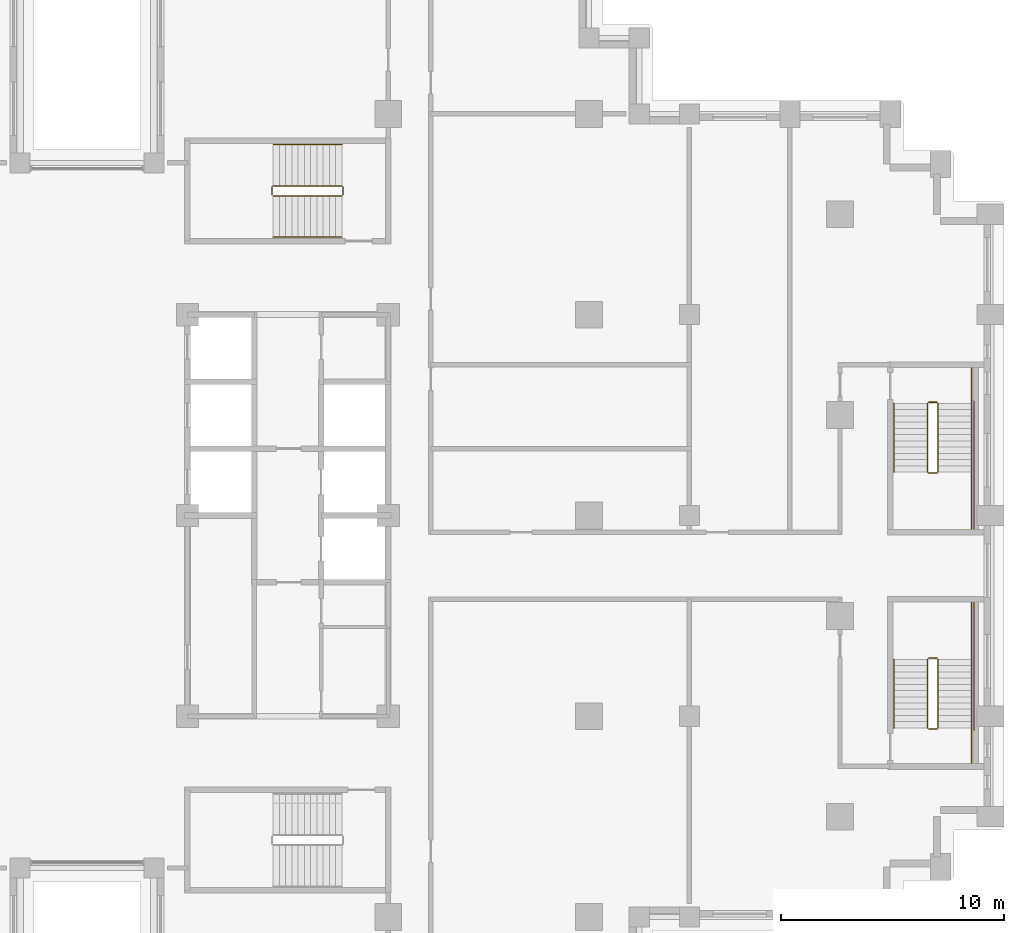
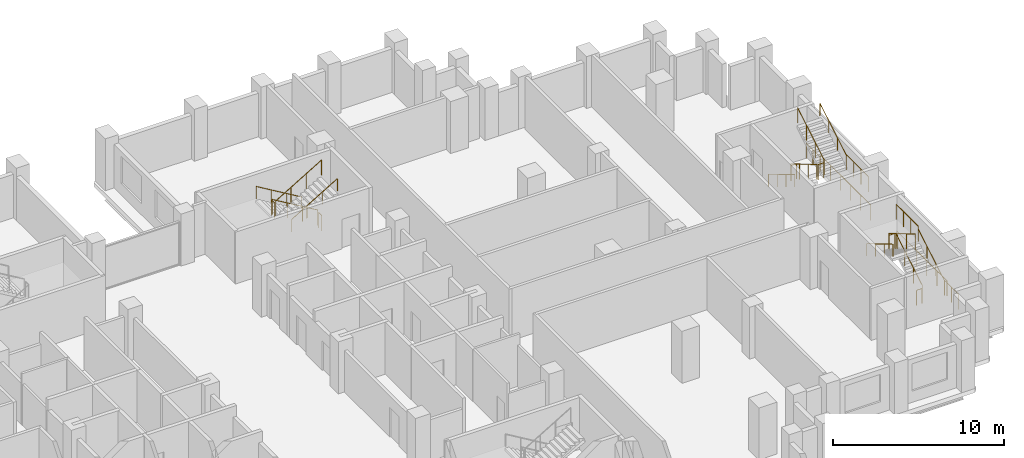
# One storey, part 15 of 15: 3 railings.
"""IFC4 building model written with IfcOpenShell, lengths in metres."""

from ifc_helpers import new_model, si_unit, direction, frame, origin, origin_2d, place, context, subcontext, project, spatial, circle, extrude, material, type_object, element, save


model = new_model("IFC4")

# Units and contexts
model_context = context("Model", 3, precision=1e-05, world=origin(), true_north=direction((0.0, 1.0)))
body_context = subcontext(model_context, "Body", "Model", "MODEL_VIEW")
ifc_project = project(units=[si_unit("LENGTHUNIT", "METRE"), si_unit("AREAUNIT", "SQUARE_METRE"), si_unit("VOLUMEUNIT", "CUBIC_METRE"), si_unit("PLANEANGLEUNIT", "RADIAN"), si_unit("MASSUNIT", "GRAM", prefix="KILO")], contexts=[model_context])

# Site, building, storey
site_placement = place(None, origin())
site = spatial("IfcSite", under=ifc_project, at=site_placement, CompositionType="ELEMENT")
building_placement = place(site_placement, origin())
building = spatial("IfcBuilding", under=site, at=building_placement, Name="Corbelhall Arena Tower", CompositionType="ELEMENT")
storey_placement = place(building_placement, frame((0.0, 0.0, 80.0)))
storey = spatial("IfcBuildingStorey", under=building, at=storey_placement, Name="L12", CompositionType="ELEMENT", Elevation=80.0)

# Railings
ifc_material = material(Name="Steel ASTM A500 Gr C", Category="steel")
railing_type = type_object("IfcRailingType", Name="IN-GD-1100", PredefinedType="GUARDRAIL", material=ifc_material)
railing_1_placement = place(storey_placement, frame((11.425048828125, 14.77490234375, 0.166748046875)))
element("IfcRailing", 1, at=railing_1_placement, inside=storey, type_object=railing_type, Name="L12 ST3 stair guards and handrails", PredefinedType="GUARDRAIL", context=body_context, shape_type="SweptSolid", body=[
    extrude(circle(Radius=0.02392578125, at=origin_2d()), frame((0.0, 0.0, 1.076171875), z_axis=(-0.859308565015, 0.0, 0.511457515432), x_axis=(0.0, -1.0, 0.0)), (0.0, 0.0, 1.0), 3.58447265625),
    extrude(circle(Radius=0.02392578125, at=origin_2d()), frame((-3.130126953125, -0.0498046875, 2.9091796875), z_axis=(0.0, -1.0, 0.0), x_axis=(1.0, 0.0, 0.0)), (0.0, 0.0, 1.0), 0.35009765625),
    extrude(circle(Radius=0.02392578125, at=origin_2d()), frame((-3.080078125, -0.449951171875, 3.076171875), z_axis=(0.859308565015, 0.0, 0.511457515432), x_axis=(0.0, 1.0, 0.0)), (0.0, 0.0, 1.0), 3.58447265625),
    extrude(circle(Radius=0.02392578125, at=origin_2d()), frame((0.050048828125, -0.0498046875, 0.9091796875), z_axis=(0.0, -1.0, 0.0), x_axis=(1.0, 0.0, 0.0)), (0.0, 0.0, 1.0), 0.35009765625),
    extrude(circle(Radius=0.02392578125, at=origin_2d()), frame((0.0, 1.85009765625, 0.8759765625), z_axis=(-0.859308565015, 0.0, 0.511457515432), x_axis=(0.0, -1.0, 0.0)), (0.0, 0.0, 1.0), 3.58447265625),
    extrude(circle(Radius=0.02392578125, at=origin_2d()), frame((-3.080078125, -2.2998046875, 2.8759765625), z_axis=(0.859308565015, 0.0, 0.511457515432), x_axis=(0.0, 1.0, 0.0)), (0.0, 0.0, 1.0), 3.58447265625),
    extrude(circle(Radius=0.02099609375, at=origin_2d()), origin(), (0.0, 0.0, 1.0), 1.052001953125),
    extrude(circle(Radius=0.02099609375, at=origin_2d()), frame((-1.026611328125, 0.0, 0.611083984375)), (0.0, 0.0, 1.0), 1.052001953125),
    extrude(circle(Radius=0.02099609375, at=origin_2d()), frame((-2.053466796875, 0.0, 1.22216796875)), (0.0, 0.0, 1.0), 1.052001953125),
    extrude(circle(Radius=0.02099609375, at=origin_2d()), frame((-3.080078125, 0.0, 1.833251953125)), (0.0, 0.0, 1.0), 1.052001953125),
    extrude(circle(Radius=0.02099609375, at=origin_2d()), frame((-3.130126953125, -0.0498046875, 1.833251953125)), (0.0, 0.0, 1.0), 1.052001953125),
    extrude(circle(Radius=0.02099609375, at=origin_2d()), frame((-3.130126953125, -0.39990234375, 1.833251953125)), (0.0, 0.0, 1.0), 1.052001953125),
    extrude(circle(Radius=0.02099609375, at=origin_2d()), frame((-3.080078125, -0.449951171875, 2.0)), (0.0, 0.0, 1.0), 1.052001953125),
    extrude(circle(Radius=0.02099609375, at=origin_2d()), frame((-2.053466796875, -0.449951171875, 2.611083984375)), (0.0, 0.0, 1.0), 1.052001953125),
    extrude(circle(Radius=0.02099609375, at=origin_2d()), frame((-1.026611328125, -0.449951171875, 3.22216796875)), (0.0, 0.0, 1.0), 1.052001953125),
    extrude(circle(Radius=0.02099609375, at=origin_2d()), frame((0.0, -0.449951171875, 3.833251953125)), (0.0, 0.0, 1.0), 1.052001953125),
    extrude(circle(Radius=0.02099609375, at=origin_2d()), frame((0.050048828125, -0.0498046875, -0.166748046875)), (0.0, 0.0, 1.0), 1.052001953125),
    extrude(circle(Radius=0.02099609375, at=origin_2d()), frame((0.050048828125, -0.39990234375, -0.166748046875)), (0.0, 0.0, 1.0), 1.052001953125),
    extrude(circle(Radius=0.02099609375, at=origin_2d()), frame((0.0, 1.85009765625, 0.0)), (0.0, 0.0, 1.0), 0.851806640625),
    extrude(circle(Radius=0.02099609375, at=origin_2d()), frame((-1.026611328125, 1.85009765625, 0.611083984375)), (0.0, 0.0, 1.0), 0.851806640625),
    extrude(circle(Radius=0.02099609375, at=origin_2d()), frame((-2.053466796875, 1.85009765625, 1.22216796875)), (0.0, 0.0, 1.0), 0.851806640625),
    extrude(circle(Radius=0.02099609375, at=origin_2d()), frame((-3.080078125, 1.85009765625, 1.833251953125)), (0.0, 0.0, 1.0), 0.851806640625),
    extrude(circle(Radius=0.02099609375, at=origin_2d()), frame((-3.080078125, -2.2998046875, 2.0)), (0.0, 0.0, 1.0), 0.851806640625),
    extrude(circle(Radius=0.02099609375, at=origin_2d()), frame((-2.053466796875, -2.2998046875, 2.611083984375)), (0.0, 0.0, 1.0), 0.851806640625),
    extrude(circle(Radius=0.02099609375, at=origin_2d()), frame((-1.026611328125, -2.2998046875, 3.22216796875)), (0.0, 0.0, 1.0), 0.851806640625),
    extrude(circle(Radius=0.02099609375, at=origin_2d()), frame((0.0, -2.2998046875, 3.833251953125)), (0.0, 0.0, 1.0), 0.851806640625),
])
railing_2_placement = place(storey_placement, frame((38.14990234375, -9.52490234375, 0.166748046875)))
element("IfcRailing", 2, at=railing_2_placement, inside=storey, type_object=railing_type, Name="L12 SD1 stair guards and handrails", PredefinedType="GUARDRAIL", context=body_context, shape_type="SweptSolid", body=[
    extrude(circle(Radius=0.02392578125, at=origin_2d()), frame((0.0, 0.0, 1.076171875), z_axis=(0.0, 0.859290745958, 0.51148745235), x_axis=(-1.0, 0.0, 0.0)), (0.0, 0.0, 1.0), 3.584228515625),
    extrude(circle(Radius=0.02392578125, at=origin_2d()), frame((-0.0498046875, 3.1298828125, 2.9091796875), z_axis=(-1.0, 0.0, 0.0), x_axis=(0.0, -1.0, 0.0)), (0.0, 0.0, 1.0), 0.375),
    extrude(circle(Radius=0.02392578125, at=origin_2d()), frame((1.5, 3.079833984375, 2.9091796875), z_axis=(0.0, 1.0, 0.0), x_axis=(-1.0, 0.0, 0.0)), (0.0, 0.0, 1.0), 2.570068359375),
    extrude(circle(Radius=0.02392578125, at=origin_2d()), frame((-0.474853515625, 3.079833984375, 3.076171875), z_axis=(0.0, -0.859290745958, 0.51148745235), x_axis=(1.0, 0.0, 0.0)), (0.0, 0.0, 1.0), 3.584228515625),
    extrude(circle(Radius=0.02392578125, at=origin_2d()), frame((-0.0498046875, -0.050048828125, 0.9091796875), z_axis=(-1.0, 0.0, 0.0), x_axis=(0.0, -1.0, 0.0)), (0.0, 0.0, 1.0), 0.375),
    extrude(circle(Radius=0.02392578125, at=origin_2d()), frame((1.5, -1.60009765625, 0.9091796875), z_axis=(0.0, 1.0, 0.0), x_axis=(-1.0, 0.0, 0.0)), (0.0, 0.0, 1.0), 1.60009765625),
    extrude(circle(Radius=0.02392578125, at=origin_2d()), frame((1.60009765625, -0.10009765625, 0.9091796875), z_axis=(0.0, 1.0, 0.0), x_axis=(-1.0, 0.0, 0.0)), (0.0, 0.0, 1.0), 5.85009765625),
    extrude(circle(Radius=0.02392578125, at=origin_2d()), frame((1.5, 0.0, 0.8759765625), z_axis=(0.0, 0.859290745958, 0.51148745235), x_axis=(-1.0, 0.0, 0.0)), (0.0, 0.0, 1.0), 3.584228515625),
    extrude(circle(Radius=0.02392578125, at=origin_2d()), frame((-1.974853515625, 3.079833984375, 2.8759765625), z_axis=(0.0, -0.859290745958, 0.51148745235), x_axis=(1.0, 0.0, 0.0)), (0.0, 0.0, 1.0), 3.584228515625),
    extrude(circle(Radius=0.02099609375, at=origin_2d()), origin(), (0.0, 0.0, 1.0), 1.052001953125),
    extrude(circle(Radius=0.02099609375, at=origin_2d()), frame((0.0, 1.026611328125, 0.611083984375)), (0.0, 0.0, 1.0), 1.052001953125),
    extrude(circle(Radius=0.02099609375, at=origin_2d()), frame((0.0, 2.05322265625, 1.22216796875)), (0.0, 0.0, 1.0), 1.052001953125),
    extrude(circle(Radius=0.02099609375, at=origin_2d()), frame((0.0, 3.079833984375, 1.833251953125)), (0.0, 0.0, 1.0), 1.052001953125),
    extrude(circle(Radius=0.02099609375, at=origin_2d()), frame((-0.0498046875, 3.1298828125, 1.833251953125)), (0.0, 0.0, 1.0), 1.052001953125),
    extrude(circle(Radius=0.02099609375, at=origin_2d()), frame((-0.4248046875, 3.1298828125, 1.833251953125)), (0.0, 0.0, 1.0), 1.052001953125),
    extrude(circle(Radius=0.02099609375, at=origin_2d()), frame((1.5, 3.079833984375, 1.833251953125)), (0.0, 0.0, 1.0), 1.052001953125),
    extrude(circle(Radius=0.02099609375, at=origin_2d()), frame((1.5, 3.9365234375, 1.833251953125)), (0.0, 0.0, 1.0), 1.052001953125),
    extrude(circle(Radius=0.02099609375, at=origin_2d()), frame((1.5, 4.793212890625, 1.833251953125)), (0.0, 0.0, 1.0), 1.052001953125),
    extrude(circle(Radius=0.02099609375, at=origin_2d()), frame((1.5, 5.64990234375, 1.833251953125)), (0.0, 0.0, 1.0), 1.052001953125),
    extrude(circle(Radius=0.02099609375, at=origin_2d()), frame((-0.474853515625, 3.079833984375, 2.0)), (0.0, 0.0, 1.0), 1.052001953125),
    extrude(circle(Radius=0.02099609375, at=origin_2d()), frame((-0.474853515625, 2.05322265625, 2.611083984375)), (0.0, 0.0, 1.0), 1.052001953125),
    extrude(circle(Radius=0.02099609375, at=origin_2d()), frame((-0.474853515625, 1.026611328125, 3.22216796875)), (0.0, 0.0, 1.0), 1.052001953125),
    extrude(circle(Radius=0.02099609375, at=origin_2d()), frame((-0.474853515625, 0.0, 3.833251953125)), (0.0, 0.0, 1.0), 1.052001953125),
    extrude(circle(Radius=0.02099609375, at=origin_2d()), frame((-0.0498046875, -0.050048828125, -0.166748046875)), (0.0, 0.0, 1.0), 1.052001953125),
    extrude(circle(Radius=0.02099609375, at=origin_2d()), frame((-0.4248046875, -0.050048828125, -0.166748046875)), (0.0, 0.0, 1.0), 1.052001953125),
    extrude(circle(Radius=0.02099609375, at=origin_2d()), frame((1.5, -1.60009765625, -0.166748046875)), (0.0, 0.0, 1.0), 1.052001953125),
    extrude(circle(Radius=0.02099609375, at=origin_2d()), frame((1.5, -0.800048828125, -0.166748046875)), (0.0, 0.0, 1.0), 1.052001953125),
    extrude(circle(Radius=0.02099609375, at=origin_2d()), frame((1.5, 0.0, -0.166748046875)), (0.0, 0.0, 1.0), 1.052001953125),
    extrude(circle(Radius=0.02099609375, at=origin_2d()), frame((1.60009765625, -0.10009765625, -0.166748046875)), (0.0, 0.0, 1.0), 1.052001953125),
    extrude(circle(Radius=0.02099609375, at=origin_2d()), frame((1.60009765625, 1.06982421875, -0.166748046875)), (0.0, 0.0, 1.0), 1.052001953125),
    extrude(circle(Radius=0.02099609375, at=origin_2d()), frame((1.60009765625, 2.239990234375, -0.166748046875)), (0.0, 0.0, 1.0), 1.052001953125),
    extrude(circle(Radius=0.02099609375, at=origin_2d()), frame((1.60009765625, 3.409912109375, -0.166748046875)), (0.0, 0.0, 1.0), 1.052001953125),
    extrude(circle(Radius=0.02099609375, at=origin_2d()), frame((1.60009765625, 4.580078125, -0.166748046875)), (0.0, 0.0, 1.0), 1.052001953125),
    extrude(circle(Radius=0.02099609375, at=origin_2d()), frame((1.60009765625, 5.75, -0.166748046875)), (0.0, 0.0, 1.0), 1.052001953125),
    extrude(circle(Radius=0.02099609375, at=origin_2d()), frame((1.5, 0.0, 0.0)), (0.0, 0.0, 1.0), 0.851806640625),
    extrude(circle(Radius=0.02099609375, at=origin_2d()), frame((1.5, 1.026611328125, 0.611083984375)), (0.0, 0.0, 1.0), 0.851806640625),
    extrude(circle(Radius=0.02099609375, at=origin_2d()), frame((1.5, 2.05322265625, 1.22216796875)), (0.0, 0.0, 1.0), 0.851806640625),
    extrude(circle(Radius=0.02099609375, at=origin_2d()), frame((-1.974853515625, 3.079833984375, 2.0)), (0.0, 0.0, 1.0), 0.851806640625),
    extrude(circle(Radius=0.02099609375, at=origin_2d()), frame((-1.974853515625, 2.05322265625, 2.611083984375)), (0.0, 0.0, 1.0), 0.851806640625),
    extrude(circle(Radius=0.02099609375, at=origin_2d()), frame((-1.974853515625, 1.026611328125, 3.22216796875)), (0.0, 0.0, 1.0), 0.851806640625),
    extrude(circle(Radius=0.02099609375, at=origin_2d()), frame((-1.974853515625, 0.0, 3.833251953125)), (0.0, 0.0, 1.0), 0.851806640625),
])
railing_3_placement = place(storey_placement, frame((37.675048828125, 5.02490234375, 0.166748046875)))
element("IfcRailing", 3, at=railing_3_placement, inside=storey, type_object=railing_type, Name="L12 SD2 stair guards and handrails", PredefinedType="GUARDRAIL", context=body_context, shape_type="SweptSolid", body=[
    extrude(circle(Radius=0.02392578125, at=origin_2d()), frame((0.0, 0.0, 1.076171875), z_axis=(0.0, -0.859290745958, 0.51148745235), x_axis=(1.0, 0.0, 0.0)), (0.0, 0.0, 1.0), 3.584228515625),
    extrude(circle(Radius=0.02392578125, at=origin_2d()), frame((0.050048828125, -3.1298828125, 2.9091796875), z_axis=(1.0, 0.0, 0.0), x_axis=(0.0, 1.0, 0.0)), (0.0, 0.0, 1.0), 0.375),
    extrude(circle(Radius=0.02392578125, at=origin_2d()), frame((1.974853515625, -3.079833984375, 2.9091796875), z_axis=(0.0, -1.0, 0.0), x_axis=(1.0, 0.0, 0.0)), (0.0, 0.0, 1.0), 2.570068359375),
    extrude(circle(Radius=0.02392578125, at=origin_2d()), frame((0.474853515625, -3.079833984375, 3.076171875), z_axis=(0.0, 0.859290745958, 0.51148745235), x_axis=(-1.0, 0.0, 0.0)), (0.0, 0.0, 1.0), 3.584228515625),
    extrude(circle(Radius=0.02392578125, at=origin_2d()), frame((0.050048828125, 0.050048828125, 0.9091796875), z_axis=(1.0, 0.0, 0.0), x_axis=(0.0, 1.0, 0.0)), (0.0, 0.0, 1.0), 0.375),
    extrude(circle(Radius=0.02392578125, at=origin_2d()), frame((1.974853515625, 1.60009765625, 0.9091796875), z_axis=(0.0, -1.0, 0.0), x_axis=(1.0, 0.0, 0.0)), (0.0, 0.0, 1.0), 1.60009765625),
    extrude(circle(Radius=0.02392578125, at=origin_2d()), frame((2.074951171875, 0.10009765625, 0.9091796875), z_axis=(0.0, -1.0, 0.0), x_axis=(1.0, 0.0, 0.0)), (0.0, 0.0, 1.0), 5.85009765625),
    extrude(circle(Radius=0.02392578125, at=origin_2d()), frame((-1.5, 0.0, 0.8759765625), z_axis=(0.0, -0.859290745958, 0.51148745235), x_axis=(1.0, 0.0, 0.0)), (0.0, 0.0, 1.0), 3.584228515625),
    extrude(circle(Radius=0.02392578125, at=origin_2d()), frame((1.974853515625, -3.079833984375, 2.8759765625), z_axis=(0.0, 0.859290745958, 0.51148745235), x_axis=(-1.0, 0.0, 0.0)), (0.0, 0.0, 1.0), 3.584228515625),
    extrude(circle(Radius=0.02099609375, at=origin_2d()), origin(), (0.0, 0.0, 1.0), 1.052001953125),
    extrude(circle(Radius=0.02099609375, at=origin_2d()), frame((0.0, -1.026611328125, 0.611083984375)), (0.0, 0.0, 1.0), 1.052001953125),
    extrude(circle(Radius=0.02099609375, at=origin_2d()), frame((0.0, -2.05322265625, 1.22216796875)), (0.0, 0.0, 1.0), 1.052001953125),
    extrude(circle(Radius=0.02099609375, at=origin_2d()), frame((0.0, -3.079833984375, 1.833251953125)), (0.0, 0.0, 1.0), 1.052001953125),
    extrude(circle(Radius=0.02099609375, at=origin_2d()), frame((0.050048828125, -3.1298828125, 1.833251953125)), (0.0, 0.0, 1.0), 1.052001953125),
    extrude(circle(Radius=0.02099609375, at=origin_2d()), frame((0.425048828125, -3.1298828125, 1.833251953125)), (0.0, 0.0, 1.0), 1.052001953125),
    extrude(circle(Radius=0.02099609375, at=origin_2d()), frame((1.974853515625, -3.079833984375, 1.833251953125)), (0.0, 0.0, 1.0), 1.052001953125),
    extrude(circle(Radius=0.02099609375, at=origin_2d()), frame((1.974853515625, -3.9365234375, 1.833251953125)), (0.0, 0.0, 1.0), 1.052001953125),
    extrude(circle(Radius=0.02099609375, at=origin_2d()), frame((1.974853515625, -4.793212890625, 1.833251953125)), (0.0, 0.0, 1.0), 1.052001953125),
    extrude(circle(Radius=0.02099609375, at=origin_2d()), frame((1.974853515625, -5.64990234375, 1.833251953125)), (0.0, 0.0, 1.0), 1.052001953125),
    extrude(circle(Radius=0.02099609375, at=origin_2d()), frame((0.474853515625, -3.079833984375, 2.0)), (0.0, 0.0, 1.0), 1.052001953125),
    extrude(circle(Radius=0.02099609375, at=origin_2d()), frame((0.474853515625, -2.05322265625, 2.611083984375)), (0.0, 0.0, 1.0), 1.052001953125),
    extrude(circle(Radius=0.02099609375, at=origin_2d()), frame((0.474853515625, -1.026611328125, 3.22216796875)), (0.0, 0.0, 1.0), 1.052001953125),
    extrude(circle(Radius=0.02099609375, at=origin_2d()), frame((0.474853515625, 0.0, 3.833251953125)), (0.0, 0.0, 1.0), 1.052001953125),
    extrude(circle(Radius=0.02099609375, at=origin_2d()), frame((0.050048828125, 0.050048828125, -0.166748046875)), (0.0, 0.0, 1.0), 1.052001953125),
    extrude(circle(Radius=0.02099609375, at=origin_2d()), frame((0.425048828125, 0.050048828125, -0.166748046875)), (0.0, 0.0, 1.0), 1.052001953125),
    extrude(circle(Radius=0.02099609375, at=origin_2d()), frame((1.974853515625, 1.60009765625, -0.166748046875)), (0.0, 0.0, 1.0), 1.052001953125),
    extrude(circle(Radius=0.02099609375, at=origin_2d()), frame((1.974853515625, 0.800048828125, -0.166748046875)), (0.0, 0.0, 1.0), 1.052001953125),
    extrude(circle(Radius=0.02099609375, at=origin_2d()), frame((1.974853515625, 0.0, -0.166748046875)), (0.0, 0.0, 1.0), 1.052001953125),
    extrude(circle(Radius=0.02099609375, at=origin_2d()), frame((2.074951171875, 0.10009765625, -0.166748046875)), (0.0, 0.0, 1.0), 1.052001953125),
    extrude(circle(Radius=0.02099609375, at=origin_2d()), frame((2.074951171875, -1.06982421875, -0.166748046875)), (0.0, 0.0, 1.0), 1.052001953125),
    extrude(circle(Radius=0.02099609375, at=origin_2d()), frame((2.074951171875, -2.239990234375, -0.166748046875)), (0.0, 0.0, 1.0), 1.052001953125),
    extrude(circle(Radius=0.02099609375, at=origin_2d()), frame((2.074951171875, -3.409912109375, -0.166748046875)), (0.0, 0.0, 1.0), 1.052001953125),
    extrude(circle(Radius=0.02099609375, at=origin_2d()), frame((2.074951171875, -4.580078125, -0.166748046875)), (0.0, 0.0, 1.0), 1.052001953125),
    extrude(circle(Radius=0.02099609375, at=origin_2d()), frame((2.074951171875, -5.75, -0.166748046875)), (0.0, 0.0, 1.0), 1.052001953125),
    extrude(circle(Radius=0.02099609375, at=origin_2d()), frame((-1.5, 0.0, 0.0)), (0.0, 0.0, 1.0), 0.851806640625),
    extrude(circle(Radius=0.02099609375, at=origin_2d()), frame((-1.5, -1.026611328125, 0.611083984375)), (0.0, 0.0, 1.0), 0.851806640625),
    extrude(circle(Radius=0.02099609375, at=origin_2d()), frame((-1.5, -2.05322265625, 1.22216796875)), (0.0, 0.0, 1.0), 0.851806640625),
    extrude(circle(Radius=0.02099609375, at=origin_2d()), frame((-1.5, -3.079833984375, 1.833251953125)), (0.0, 0.0, 1.0), 0.851806640625),
    extrude(circle(Radius=0.02099609375, at=origin_2d()), frame((1.974853515625, -3.079833984375, 2.0)), (0.0, 0.0, 1.0), 0.851806640625),
    extrude(circle(Radius=0.02099609375, at=origin_2d()), frame((1.974853515625, -2.05322265625, 2.611083984375)), (0.0, 0.0, 1.0), 0.851806640625),
    extrude(circle(Radius=0.02099609375, at=origin_2d()), frame((1.974853515625, -1.026611328125, 3.22216796875)), (0.0, 0.0, 1.0), 0.851806640625),
    extrude(circle(Radius=0.02099609375, at=origin_2d()), frame((1.974853515625, 0.0, 3.833251953125)), (0.0, 0.0, 1.0), 0.851806640625),
])

save(model, "model.ifc")
